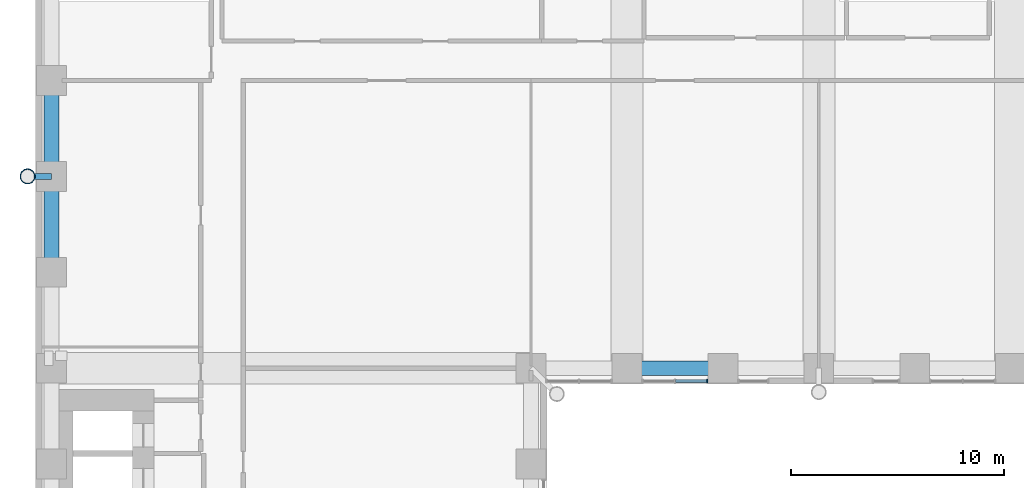
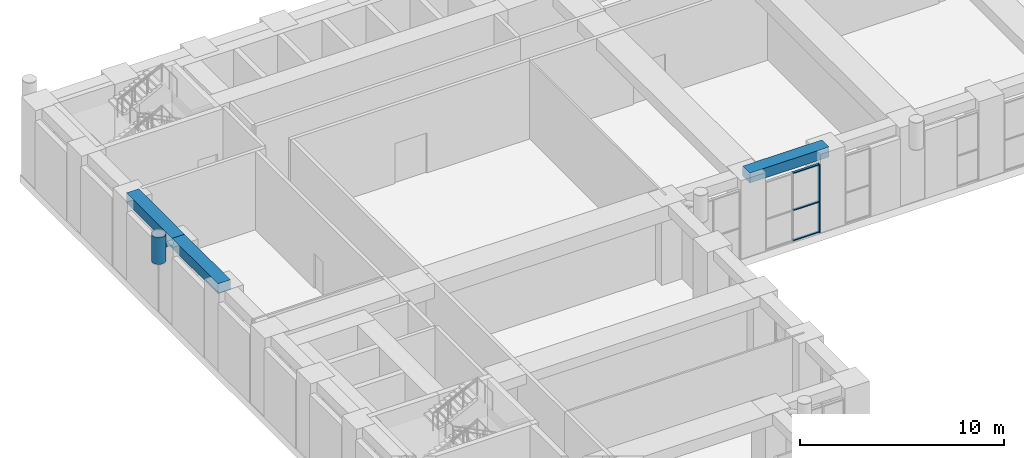
# One storey, part 4 of 35: 6 members, 3 beams, 1 element without a shape of its own.
"""IFC4 building model written with IfcOpenShell, lengths in metres."""

from ifc_helpers import new_model, si_unit, direction, frame, origin, origin_2d, place, context, subcontext, project, spatial, rectangle, hollow_circle, extrude, material, material_profile, profile_set, type_object, element, aggregate, save


model = new_model("IFC4")

# Units and contexts
model_context = context("Model", 3, precision=1e-05, world=origin(), true_north=direction((0.0, 1.0)))
body_context = subcontext(model_context, "Body", "Model", "MODEL_VIEW")
ifc_project = project(units=[si_unit("LENGTHUNIT", "METRE"), si_unit("AREAUNIT", "SQUARE_METRE"), si_unit("VOLUMEUNIT", "CUBIC_METRE"), si_unit("PLANEANGLEUNIT", "RADIAN"), si_unit("MASSUNIT", "GRAM", prefix="KILO")], contexts=[model_context])

# Site, building, storey
site_placement = place(None, origin())
site = spatial("IfcSite", under=ifc_project, at=site_placement, CompositionType="ELEMENT")
building_placement = place(site_placement, origin())
building = spatial("IfcBuilding", under=site, at=building_placement, Name="Firuza Court", CompositionType="ELEMENT")
storey_placement = place(building_placement, frame((0.0, 0.0, 24.0)))
storey = spatial("IfcBuildingStorey", under=building, at=storey_placement, Name="L04", CompositionType="ELEMENT", Elevation=24.0)

# Members
ifc_material_1 = material(Name="Steel S355", Category="steel")
ifc_material_profile_1 = material_profile(ifc_material_1, hollow_circle(Radius=0.35546875, WallThickness=0.030029296875, at=origin_2d()), Name="CHS 711x30")
ifc_profile_set_1 = profile_set([ifc_material_profile_1], Name="Steel S355")
member_type_1 = type_object("IfcMemberType", Name="Diagrid node CHS 711x30 S355", PredefinedType="USERDEFINED", material=ifc_profile_set_1)
member_1_placement = place(storey_placement, frame((-1.1201171875, 45.0, 3.64990234375), z_axis=(0.0, 0.0, 1.0), x_axis=(1.0, 0.0, 0.0)))
element("IfcMember", 1, at=member_1_placement, inside=storey, type_object=member_type_1, Name="Diagrid node level L04", ObjectType="DIAGRID NODE", PredefinedType="USERDEFINED", context=body_context, shape_type="SweptSolid", body=[
    extrude(hollow_circle(Radius=0.35546875, WallThickness=0.030029296875, at=origin_2d()), origin(), (0.0, 0.0, 1.0), 1.60009765625),
])
ifc_material_2 = material(Name="Steel S355", Category="steel")
ifc_material_profile_2 = material_profile(ifc_material_2, hollow_circle(Radius=0.136474609375, WallThickness=0.012451171875, at=origin_2d()), Name="CHS 273x12.5")
ifc_profile_set_2 = profile_set([ifc_material_profile_2], Name="Steel S355")
member_type_2 = type_object("IfcMemberType", Name="Diagrid tie CHS 273x12.5 S355", PredefinedType="STRUT", material=ifc_profile_set_2)
member_2_placement = place(storey_placement, frame((0.0, 45.0, 4.449951171875), z_axis=(-1.0, 0.0, 0.0), x_axis=(0.0, -1.0, 0.0)))
element("IfcMember", 2, at=member_2_placement, inside=storey, type_object=member_type_2, Name="Diagrid tie level L05", PredefinedType="STRUT", context=body_context, shape_type="SweptSolid", body=[
    extrude(hollow_circle(Radius=0.136474609375, WallThickness=0.012451171875, at=origin_2d()), origin(), (0.0, 0.0, 1.0), 1.1201171875),
])

# Curtain wall, member
ifc_material_3 = material(Name="Aluminium curtain wall, triple clear glazing", Category="aluminium")
curtain_wall_type = type_object("IfcCurtainWallType", Name="Podium unitised curtain wall CW1", PredefinedType="NOTDEFINED", material=ifc_material_3)
curtain_wall_placement = place(storey_placement, origin())
curtain_wall = element("IfcCurtainWall", 3, at=curtain_wall_placement, inside=storey, type_object=curtain_wall_type, Name="Podium unitised curtain wall CW1 L04", PredefinedType="NOTDEFINED")
ifc_material_4 = material(Name="Aluminium EN AW-6060 T66", Category="aluminium")
ifc_material_profile_3 = material_profile(ifc_material_4, rectangle(XDim=0.179931640625, YDim=0.06005859375, at=origin_2d()), Name="Mullion 180 x 60 CW1")
ifc_profile_set_3 = profile_set([ifc_material_profile_3], Name="Aluminium EN AW-6060 T66")
member_type_3 = type_object("IfcMemberType", Name="Mullion 180 x 60 CW1", PredefinedType="MULLION", material=ifc_profile_set_3)
member_3_placement = place(storey_placement, frame((30.77001953125, 35.39990234375, 0.0), z_axis=(0.0, 0.0, 1.0), x_axis=(0.0, 1.0, 0.0)))
member_3 = element("IfcMember", 4, at=member_3_placement, type_object=member_type_3, Name="CW1 mullion 3", PredefinedType="MULLION", context=body_context, shape_type="SweptSolid", body=[
    extrude(rectangle(XDim=0.179931640625, YDim=0.06005859375, at=origin_2d()), origin(), (0.0, 0.0, 1.0), 4.10009765625),
])

# Beams
ifc_material_5 = material(Name="Concrete C40/50", Category="concrete")
ifc_material_profile_4 = material_profile(ifc_material_5, rectangle(XDim=0.699951171875, YDim=0.60009765625, at=origin_2d()), Name="RC 700x600")
ifc_profile_set_4 = profile_set([ifc_material_profile_4], Name="Concrete C40/50")
beam_type = type_object("IfcBeamType", Name="Spandrel beam RC 700x600 C40/50", PredefinedType="BEAM", material=ifc_profile_set_4)
for number, where, z_axis, x_axis, name in (
    (5, (0.0, 45.0, 4.39990234375), (0.0, -1.0, 0.0), (1.0, 0.0, 0.0), "Spandrel beam SP10 level L05"),
    (6, (0.0, 49.5, 4.39990234375), (0.0, -1.0, 0.0), (1.0, 0.0, 0.0), "Spandrel beam SP10 level L05"),
    (7, (27.0, 36.0, 4.39990234375), (1.0, 0.0, 0.0), (0.0, 1.0, 0.0), "Spandrel beam SP10 level L05"),
):
    element("IfcBeam", number, at=place(storey_placement, frame(where, z_axis=z_axis, x_axis=x_axis)), inside=storey, type_object=beam_type, Name=name, PredefinedType="BEAM", context=body_context, shape_type="SweptSolid", body=[
        extrude(rectangle(XDim=0.699951171875, YDim=0.60009765625, at=origin_2d()), origin(), (0.0, 0.0, 1.0), 4.5),
    ])

# Member
ifc_material_6 = material(Name="Aluminium EN AW-6060 T66", Category="aluminium")
ifc_material_profile_5 = material_profile(ifc_material_6, rectangle(XDim=0.1201171875, YDim=0.06005859375, at=origin_2d()), Name="Transom 120 x 60 CW1")
ifc_profile_set_5 = profile_set([ifc_material_profile_5], Name="Aluminium EN AW-6060 T66")
member_type_4 = type_object("IfcMemberType", Name="Transom 120 x 60 CW1", PredefinedType="USERDEFINED", material=ifc_profile_set_5)
member_4_placement = place(storey_placement, frame((29.280029296875, 35.39990234375, 0.030029296875), z_axis=(1.0, 0.0, 0.0), x_axis=(0.0, 1.0, 0.0)))
member_4 = element("IfcMember", 8, at=member_4_placement, type_object=member_type_4, Name="CW1 transom 2.1", ObjectType="TRANSOM", PredefinedType="USERDEFINED", context=body_context, shape_type="SweptSolid", body=[
    extrude(rectangle(XDim=0.1201171875, YDim=0.06005859375, at=origin_2d()), origin(), (0.0, 0.0, 1.0), 1.4599609375),
])

member_5_placement = place(storey_placement, frame((29.280029296875, 35.39990234375, 1.844970703125), z_axis=(1.0, 0.0, 0.0), x_axis=(0.0, 1.0, 0.0)))
member_5 = element("IfcMember", 9, at=member_5_placement, type_object=member_type_4, Name="CW1 transom 2.2", ObjectType="TRANSOM", PredefinedType="USERDEFINED", context=body_context, shape_type="SweptSolid", body=[
    extrude(rectangle(XDim=0.1201171875, YDim=0.06005859375, at=origin_2d()), origin(), (0.0, 0.0, 1.0), 1.4599609375),
])

member_6_placement = place(storey_placement, frame((29.280029296875, 35.39990234375, 4.070068359375), z_axis=(1.0, 0.0, 0.0), x_axis=(0.0, 1.0, 0.0)))
member_6 = element("IfcMember", 10, at=member_6_placement, type_object=member_type_4, Name="CW1 transom 2.3", ObjectType="TRANSOM", PredefinedType="USERDEFINED", context=body_context, shape_type="SweptSolid", body=[
    extrude(rectangle(XDim=0.1201171875, YDim=0.06005859375, at=origin_2d()), origin(), (0.0, 0.0, 1.0), 1.4599609375),
])

aggregate(curtain_wall, [member_3, member_4, member_5, member_6])

save(model, "model.ifc")
